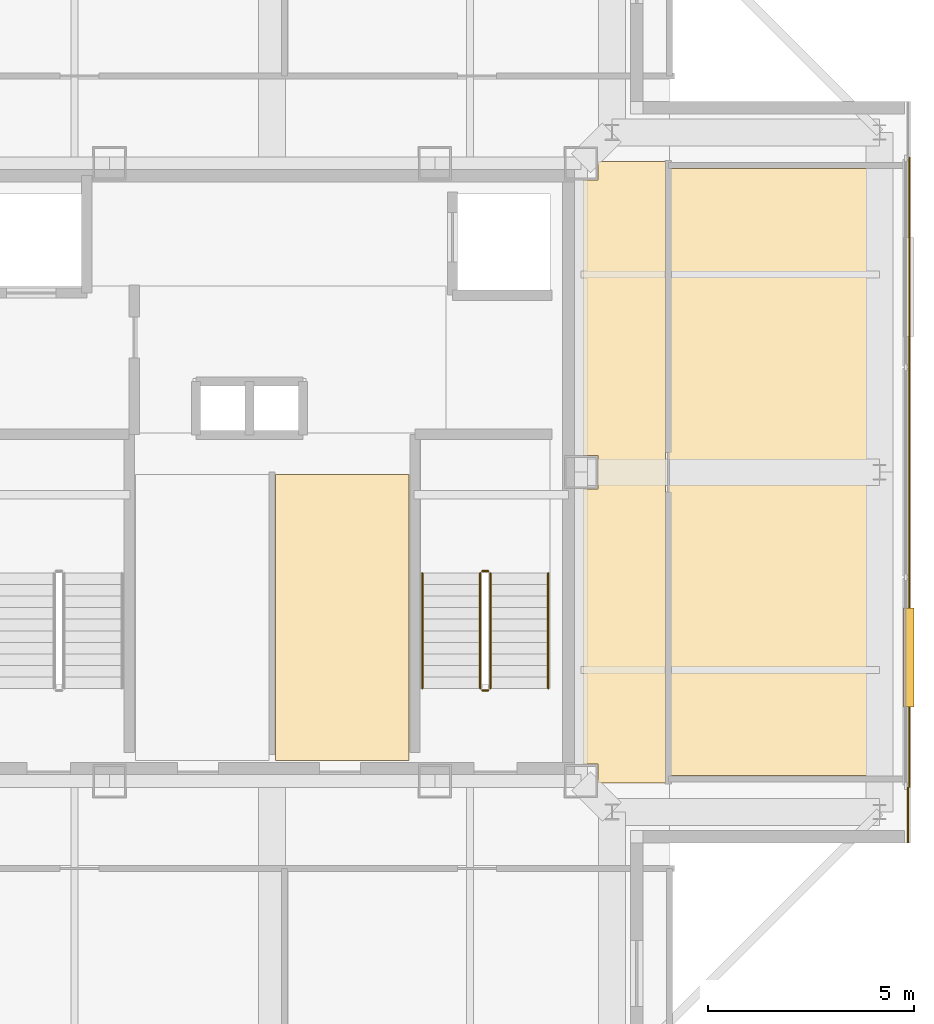
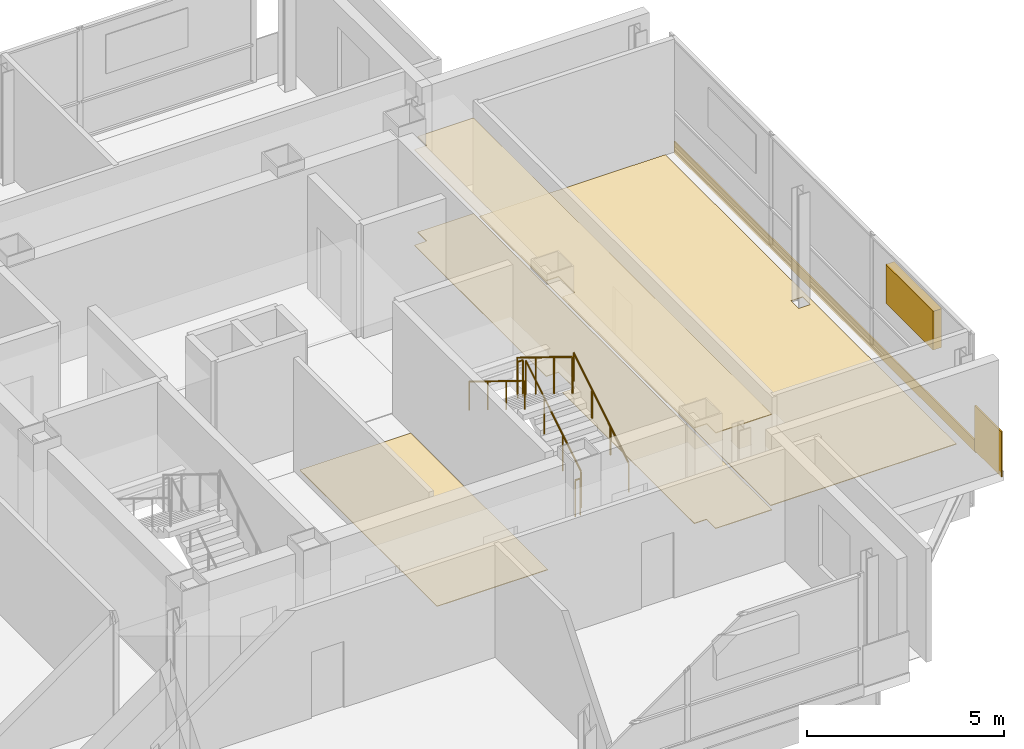
# One storey, part 9 of 10: 6 coverings, 6 railings, 1 shading device.
"""IFC4 building model written with IfcOpenShell, lengths in metres."""

from ifc_helpers import new_model, si_unit, direction, frame, frame_2d, origin, origin_2d, place, context, subcontext, project, spatial, polyline, rectangle, circle, outline, extrude, material, layer, layer_set, type_object, element, save


model = new_model("IFC4")

# Units and contexts
model_context = context("Model", 3, precision=1e-05, world=origin(), true_north=direction((0.0, 1.0)))
body_context = subcontext(model_context, "Body", "Model", "MODEL_VIEW")
ifc_project = project(units=[si_unit("LENGTHUNIT", "METRE"), si_unit("AREAUNIT", "SQUARE_METRE"), si_unit("VOLUMEUNIT", "CUBIC_METRE"), si_unit("PLANEANGLEUNIT", "RADIAN"), si_unit("MASSUNIT", "GRAM", prefix="KILO")], contexts=[model_context])

# Site, building, storey
site_placement = place(None, origin())
site = spatial("IfcSite", under=ifc_project, at=site_placement, CompositionType="ELEMENT")
building_placement = place(site_placement, origin())
building = spatial("IfcBuilding", under=site, at=building_placement, Name="Trevonay Congress Spire", CompositionType="ELEMENT")
storey_placement = place(building_placement, frame((0.0, 0.0, 319.800048828125)))
storey = spatial("IfcBuildingStorey", under=building, at=storey_placement, Name="L84", CompositionType="ELEMENT", Elevation=319.800048828125)

# Coverings
ifc_material_1 = material(Name="Acoustic Mineral Fibre Board", Category="gypsum")
ifc_layer_1 = layer(ifc_material_1, 0.02490234375, Name="Acoustic Mineral Fibre Board")
ifc_layer_set_1 = layer_set([ifc_layer_1], Name="Acoustic Mineral Fibre Board")
covering_type_1 = type_object("IfcCoveringType", Name="COV-CEIL-ACOUSTIC", PredefinedType="CEILING", material=ifc_layer_set_1)
covering_1_placement = place(storey_placement, frame((0.0, 0.0, 2.949951171875)))
element("IfcCovering", 1, at=covering_1_placement, inside=storey, type_object=covering_type_1, Name="L84 Crown Gallery Corridor East acoustic suspended ceiling", PredefinedType="CEILING", context=body_context, shape_type="SweptSolid", body=[
    extrude(outline(polyline([(9.550048828125, -7.550048828125), (7.909912109375, -7.550048828125), (7.909912109375, -7.090087890625), (7.550048828125, -7.090087890625), (7.550048828125, -0.409912109375), (7.909912109375, -0.409912109375), (7.909912109375, 0.409912109375), (7.550048828125, 0.409912109375), (7.550048828125, 7.090087890625), (7.909912109375, 7.090087890625), (7.909912109375, 7.550048828125), (9.550048828125, 7.550048828125), (9.550048828125, -7.550048828125)])), origin(), (0.0, 0.0, 1.0), 0.02490234375),
])
ifc_material_2 = material(Name="Polished Granite Floor Tile", Category="masonry")
ifc_layer_2 = layer(ifc_material_2, 0.02001953125, Name="Polished Granite Floor Tile")
ifc_layer_set_2 = layer_set([ifc_layer_2], Name="Polished Granite Floor Tile")
covering_type_2 = type_object("IfcCoveringType", Name="COV-FLOOR-STONE", PredefinedType="FLOORING", material=ifc_layer_set_2)
covering_2_placement = place(storey_placement, origin())
element("IfcCovering", 2, at=covering_2_placement, inside=storey, type_object=covering_type_2, Name="L84 Core Document Archive Room floor finish", PredefinedType="FLOORING", context=body_context, shape_type="SweptSolid", body=[
    extrude(outline(polyline([(0.080078125, -7.0), (3.320068359375, -7.0), (3.320068359375, -0.050048828125), (0.080078125, -0.050048828125), (0.080078125, -7.0)])), origin(), (0.0, 0.0, 1.0), 0.02001953125),
])
covering_3_placement = place(storey_placement, origin())
element("IfcCovering", 3, at=covering_3_placement, inside=storey, type_object=covering_type_2, Name="L84 Crown Gallery Corridor East floor finish", PredefinedType="FLOORING", context=body_context, shape_type="SweptSolid", body=[
    extrude(outline(polyline([(9.550048828125, -7.550048828125), (7.909912109375, -7.550048828125), (7.909912109375, -7.090087890625), (7.550048828125, -7.090087890625), (7.550048828125, -0.409912109375), (7.909912109375, -0.409912109375), (7.909912109375, 0.409912109375), (7.550048828125, 0.409912109375), (7.550048828125, 7.090087890625), (7.909912109375, 7.090087890625), (7.909912109375, 7.550048828125), (9.550048828125, 7.550048828125), (9.550048828125, -7.550048828125)])), origin(), (0.0, 0.0, 1.0), 0.02001953125),
])
covering_4_placement = place(storey_placement, origin())
element("IfcCovering", 4, at=covering_4_placement, inside=storey, type_object=covering_type_2, Name="L84 Crown Lift Machine Plant floor finish", PredefinedType="FLOORING", context=body_context, shape_type="SweptSolid", body=[
    extrude(outline(polyline([(9.6201171875, 7.3701171875), (15.050048828125, 7.3701171875), (15.050048828125, -7.3701171875), (9.6201171875, -7.3701171875), (9.6201171875, 7.3701171875)]), holes=[polyline([(14.9208984375, -0.196044921875), (14.9208984375, 0.196044921875), (14.5791015625, 0.196044921875), (14.5791015625, -0.196044921875), (14.9208984375, -0.196044921875)])]), origin(), (0.0, 0.0, 1.0), 0.02001953125),
])
ifc_material_3 = material(Name="Pale Anodised Aluminium EN AW-6063-T6", Category="aluminium")
ifc_layer_3 = layer(ifc_material_3, 0.0400390625, Name="Pale Anodised Aluminium EN AW-6063-T6")
ifc_layer_set_3 = layer_set([ifc_layer_3], Name="Pale Anodised Aluminium EN AW-6063-T6")
covering_type_3 = type_object("IfcCoveringType", Name="COV-SPANDREL-PALE-METAL", PredefinedType="CLADDING", material=ifc_layer_set_3)
covering_5_placement = place(storey_placement, frame((15.47998046875, -7.64990234375, -0.239990234375), z_axis=(0.0, 0.0, 1.0), x_axis=(0.0, 1.0, 0.0)))
element("IfcCovering", 5, at=covering_5_placement, inside=storey, type_object=covering_type_3, Name="L84 E pale-metal slab-edge spandrel cladding", PredefinedType="CLADDING", context=body_context, shape_type="SweptSolid", body=[
    extrude(rectangle(XDim=15.2998046875, YDim=0.0400390625, at=frame_2d((7.64990234375, 0.0))), origin(), (0.0, 0.0, 1.0), 0.35986328125),
])
covering_6_placement = place(storey_placement, frame((15.43994140625, -7.64990234375, -0.150146484375), z_axis=(0.0, 0.0, 1.0), x_axis=(0.0, -1.0, 0.0)))
element("IfcCovering", 6, at=covering_6_placement, inside=storey, type_object=covering_type_3, Name="L84 SE corner pier spandrel cladding 1", PredefinedType="CLADDING", context=body_context, shape_type="SweptSolid", body=[
    extrude(rectangle(XDim=1.35009765625, YDim=0.0400390625, at=frame_2d((0.675048828125, 0.0))), origin(), (0.0, 0.0, 1.0), 1.400146484375),
])

# Railings
railing_type_1 = type_object("IfcRailingType", Name="RAL-STAIR-GUARD-110", PredefinedType="GUARDRAIL", material=ifc_material_3)
railing_1_placement = place(storey_placement, frame((5.300048828125, -5.25, 0.172607421875)))
element("IfcRailing", 7, at=railing_1_placement, inside=storey, type_object=railing_type_1, Name="L84 ST-2 stair guard 1", PredefinedType="GUARDRAIL", context=body_context, shape_type="SweptSolid", body=[
    extrude(circle(Radius=0.02392578125, at=origin_2d()), frame((0.0, 0.0, 1.1259765625), z_axis=(0.0, 0.851089632645, 0.525020415988), x_axis=(-1.0, 0.0, 0.0)), (0.0, 0.0, 1.0), 3.2900390625),
    extrude(circle(Radius=0.02099609375, at=origin_2d()), origin(), (0.0, 0.0, 1.0), 1.101806640625),
    extrude(circle(Radius=0.02099609375, at=origin_2d()), frame((0.0, 0.933349609375, 0.57568359375)), (0.0, 0.0, 1.0), 1.101806640625),
    extrude(circle(Radius=0.02099609375, at=origin_2d()), frame((0.0, 1.86669921875, 1.151611328125)), (0.0, 0.0, 1.0), 1.101806640625),
    extrude(circle(Radius=0.02099609375, at=origin_2d()), frame((0.0, 2.800048828125, 1.727294921875)), (0.0, 0.0, 1.0), 1.101806640625),
])
railing_2_placement = place(storey_placement, frame((5.25, -2.39990234375, 1.89990234375)))
element("IfcRailing", 8, at=railing_2_placement, inside=storey, type_object=railing_type_1, Name="L84 ST-2 stair guard 2", PredefinedType="GUARDRAIL", context=body_context, shape_type="SweptSolid", body=[
    extrude(circle(Radius=0.02392578125, at=origin_2d()), frame((0.0, 0.0, 1.1259765625), z_axis=(-1.0, 0.0, 0.0), x_axis=(0.0, -1.0, 0.0)), (0.0, 0.0, 1.0), 0.14990234375),
    extrude(circle(Radius=0.02099609375, at=origin_2d()), origin(), (0.0, 0.0, 1.0), 1.101806640625),
    extrude(circle(Radius=0.02099609375, at=origin_2d()), frame((-0.14990234375, 0.0, 0.0)), (0.0, 0.0, 1.0), 1.101806640625),
])
railing_3_placement = place(storey_placement, frame((5.050048828125, -2.449951171875, 2.07275390625)))
element("IfcRailing", 9, at=railing_3_placement, inside=storey, type_object=railing_type_1, Name="L84 ST-2 stair guard 3", PredefinedType="GUARDRAIL", context=body_context, shape_type="SweptSolid", body=[
    extrude(circle(Radius=0.02392578125, at=origin_2d()), frame((0.0, 0.0, 1.1259765625), z_axis=(0.0, -0.851089632645, 0.525020415988), x_axis=(1.0, 0.0, 0.0)), (0.0, 0.0, 1.0), 3.2900390625),
    extrude(circle(Radius=0.02099609375, at=origin_2d()), origin(), (0.0, 0.0, 1.0), 1.101806640625),
    extrude(circle(Radius=0.02099609375, at=origin_2d()), frame((0.0, -0.933349609375, 0.57568359375)), (0.0, 0.0, 1.0), 1.101806640625),
    extrude(circle(Radius=0.02099609375, at=origin_2d()), frame((0.0, -1.86669921875, 1.151611328125)), (0.0, 0.0, 1.0), 1.101806640625),
    extrude(circle(Radius=0.02099609375, at=origin_2d()), frame((0.0, -2.800048828125, 1.727294921875)), (0.0, 0.0, 1.0), 1.101806640625),
])
railing_4_placement = place(storey_placement, frame((5.25, -5.300048828125, 0.0)))
element("IfcRailing", 10, at=railing_4_placement, inside=storey, type_object=railing_type_1, Name="L84 ST-2 stair guard 4", PredefinedType="GUARDRAIL", context=body_context, shape_type="SweptSolid", body=[
    extrude(circle(Radius=0.02392578125, at=origin_2d()), frame((0.0, 0.0, 1.1259765625), z_axis=(-1.0, 0.0, 0.0), x_axis=(0.0, -1.0, 0.0)), (0.0, 0.0, 1.0), 0.14990234375),
    extrude(circle(Radius=0.02099609375, at=origin_2d()), origin(), (0.0, 0.0, 1.0), 1.101806640625),
    extrude(circle(Radius=0.02099609375, at=origin_2d()), frame((-0.14990234375, 0.0, 0.0)), (0.0, 0.0, 1.0), 1.101806640625),
])
railing_type_2 = type_object("IfcRailingType", Name="RAL-STAIR-HANDRAIL", PredefinedType="HANDRAIL", material=ifc_material_3)
railing_5_placement = place(storey_placement, frame((6.699951171875, -5.25, 0.172607421875)))
element("IfcRailing", 11, at=railing_5_placement, inside=storey, type_object=railing_type_2, Name="L84 ST-2 stair handrail 1", PredefinedType="HANDRAIL", context=body_context, shape_type="SweptSolid", body=[
    extrude(circle(Radius=0.02392578125, at=origin_2d()), frame((0.0, 0.0, 0.8759765625), z_axis=(0.0, 0.851089632645, 0.525020415988), x_axis=(-1.0, 0.0, 0.0)), (0.0, 0.0, 1.0), 3.2900390625),
    extrude(circle(Radius=0.02099609375, at=origin_2d()), origin(), (0.0, 0.0, 1.0), 0.851806640625),
    extrude(circle(Radius=0.02099609375, at=origin_2d()), frame((0.0, 0.933349609375, 0.57568359375)), (0.0, 0.0, 1.0), 0.851806640625),
    extrude(circle(Radius=0.02099609375, at=origin_2d()), frame((0.0, 1.86669921875, 1.151611328125)), (0.0, 0.0, 1.0), 0.851806640625),
    extrude(circle(Radius=0.02099609375, at=origin_2d()), frame((0.0, 2.800048828125, 1.727294921875)), (0.0, 0.0, 1.0), 0.851806640625),
])
railing_6_placement = place(storey_placement, frame((3.64990234375, -2.449951171875, 2.07275390625)))
element("IfcRailing", 12, at=railing_6_placement, inside=storey, type_object=railing_type_2, Name="L84 ST-2 stair handrail 2", PredefinedType="HANDRAIL", context=body_context, shape_type="SweptSolid", body=[
    extrude(circle(Radius=0.02392578125, at=origin_2d()), frame((0.0, 0.0, 0.8759765625), z_axis=(0.0, -0.851089632645, 0.525020415988), x_axis=(1.0, 0.0, 0.0)), (0.0, 0.0, 1.0), 3.2900390625),
    extrude(circle(Radius=0.02099609375, at=origin_2d()), origin(), (0.0, 0.0, 1.0), 0.851806640625),
    extrude(circle(Radius=0.02099609375, at=origin_2d()), frame((0.0, -0.933349609375, 0.57568359375)), (0.0, 0.0, 1.0), 0.851806640625),
    extrude(circle(Radius=0.02099609375, at=origin_2d()), frame((0.0, -1.86669921875, 1.151611328125)), (0.0, 0.0, 1.0), 0.851806640625),
    extrude(circle(Radius=0.02099609375, at=origin_2d()), frame((0.0, -2.800048828125, 1.727294921875)), (0.0, 0.0, 1.0), 0.851806640625),
])

# Shading device
shading_device_type = type_object("IfcShadingDeviceType", Name="SHD-LOUVRE-PLANT-ALUM", PredefinedType="USERDEFINED", material=ifc_material_3)
shading_device_placement = place(storey_placement, frame((15.4599609375, -4.5, 1.7998046875), z_axis=(0.0, 0.0, 1.0), x_axis=(0.0, 1.0, 0.0)))
element("IfcShadingDevice", 13, at=shading_device_placement, inside=storey, type_object=shading_device_type, Name="L84 E crown plant intake louvre 1", ObjectType="LOUVRE", PredefinedType="USERDEFINED", context=body_context, shape_type="SweptSolid", body=[
    extrude(rectangle(XDim=2.39990234375, YDim=0.25, at=origin_2d()), origin(), (0.0, 0.0, 1.0), 1.199951171875),
])

save(model, "model.ifc")
